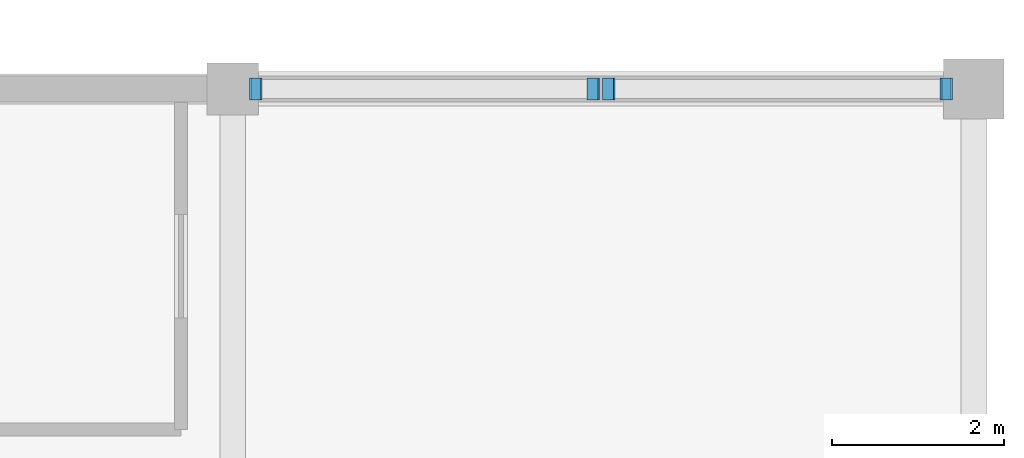
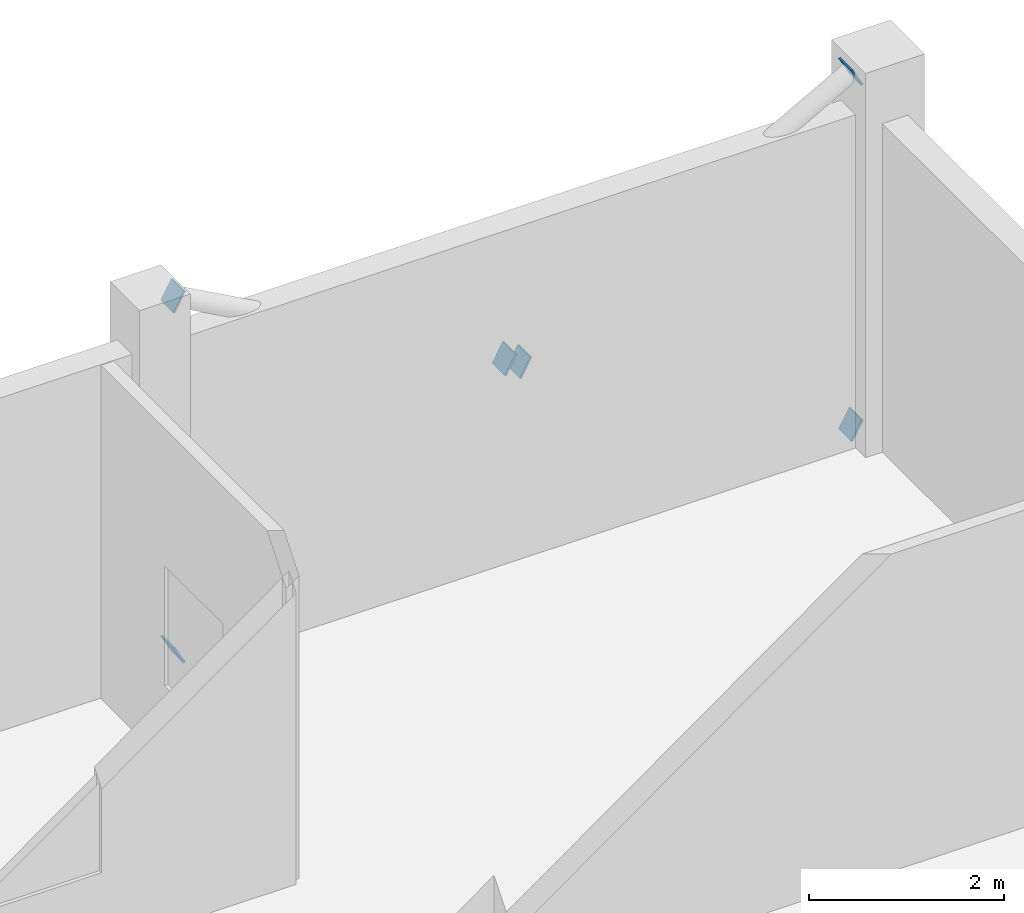
# One storey, part 64 of 91: 6 plates.
"""IFC4 building model written with IfcOpenShell, lengths in metres."""

from ifc_helpers import new_model, si_unit, direction, frame, origin, origin_2d, place, context, subcontext, project, spatial, rectangle, extrude, material, material_profile, profile_set, type_object, element, save


model = new_model("IFC4")

# Units and contexts
model_context = context("Model", 3, precision=1e-05, world=origin(), true_north=direction((0.0, 1.0)))
body_context = subcontext(model_context, "Body", "Model", "MODEL_VIEW")
ifc_project = project(units=[si_unit("LENGTHUNIT", "METRE"), si_unit("AREAUNIT", "SQUARE_METRE"), si_unit("VOLUMEUNIT", "CUBIC_METRE"), si_unit("PLANEANGLEUNIT", "RADIAN"), si_unit("MASSUNIT", "GRAM", prefix="KILO")], contexts=[model_context])

# Site, building, storey
site_placement = place(None, origin())
site = spatial("IfcSite", under=ifc_project, at=site_placement, CompositionType="ELEMENT")
building_placement = place(site_placement, origin())
building = spatial("IfcBuilding", under=site, at=building_placement, Name="Vinh Khe Railworks Police Headquarters", CompositionType="ELEMENT")
storey_placement = place(building_placement, origin())
storey = spatial("IfcBuildingStorey", under=building, at=storey_placement, Name="L00", CompositionType="ELEMENT", Elevation=0.0)

# Plates
ifc_material = material(Name="Steel S355JR", Category="steel")
ifc_material_profile = material_profile(ifc_material, rectangle(XDim=0.259033203125, YDim=0.259033203125, at=origin_2d()), Name="PL 259x259")
ifc_profile_set = profile_set([ifc_material_profile], Name="Steel S355JR")
plate_type = type_object("IfcPlateType", Name="Steel End-Cap Plate 259x259x24", PredefinedType="SHEET", material=ifc_profile_set)
for number, where, z_axis, x_axis, name in (
    (1, (105.280029296875, 166.39990234375, 0.199951171875), (-0.877505337229, 0.0, -0.479566870346), (0.0, -1.0, 0.0), "End-Cap Gusset Plate PLT-EP-0697"),
    (2, (105.280029296875, 166.39990234375, 4.60009765625), (-0.877505337229, 0.0, 0.479566870346), (0.0, -1.0, 0.0), "End-Cap Gusset Plate PLT-EP-0698"),
    (3, (109.17529296875, 166.39990234375, 2.454833984375), (0.877505337229, 0.0, -0.479566870346), (0.0, 1.0, 0.0), "End-Cap Gusset Plate PLT-EP-0701"),
    (4, (109.374755859375, 166.39990234375, 2.34521484375), (-0.877505337229, 0.0, 0.479566870346), (0.0, -1.0, 0.0), "End-Cap Gusset Plate PLT-EP-0707"),
    (5, (113.27001953125, 166.39990234375, 0.199951171875), (0.877505337229, 0.0, -0.479566870346), (0.0, 1.0, 0.0), "End-Cap Gusset Plate PLT-EP-0713"),
    (6, (113.27001953125, 166.39990234375, 4.60009765625), (0.877505337229, 0.0, 0.479566870346), (0.0, 1.0, 0.0), "End-Cap Gusset Plate PLT-EP-0714"),
):
    element("IfcPlate", number, at=place(storey_placement, frame(where, z_axis=z_axis, x_axis=x_axis)), inside=storey, type_object=plate_type, Name=name, PredefinedType="SHEET", context=body_context, shape_type="SweptSolid", body=[
        extrude(rectangle(XDim=0.259033203125, YDim=0.259033203125, at=origin_2d()), origin(), (0.0, 0.0, 1.0), 0.02392578125),
    ])

save(model, "model.ifc")
